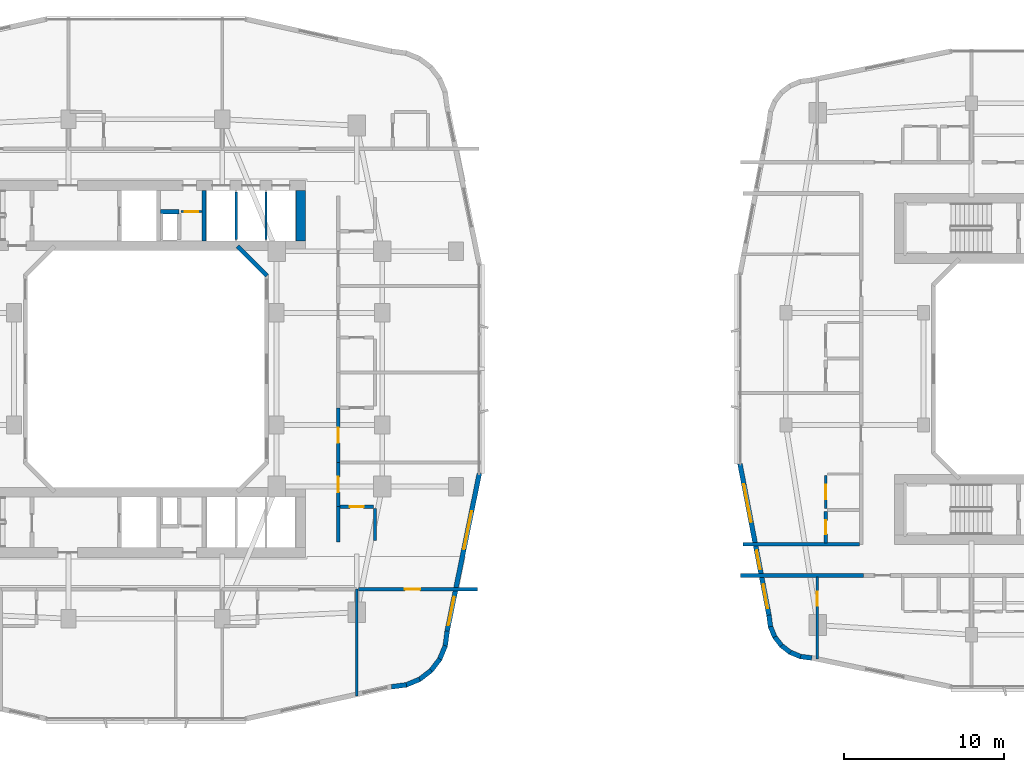
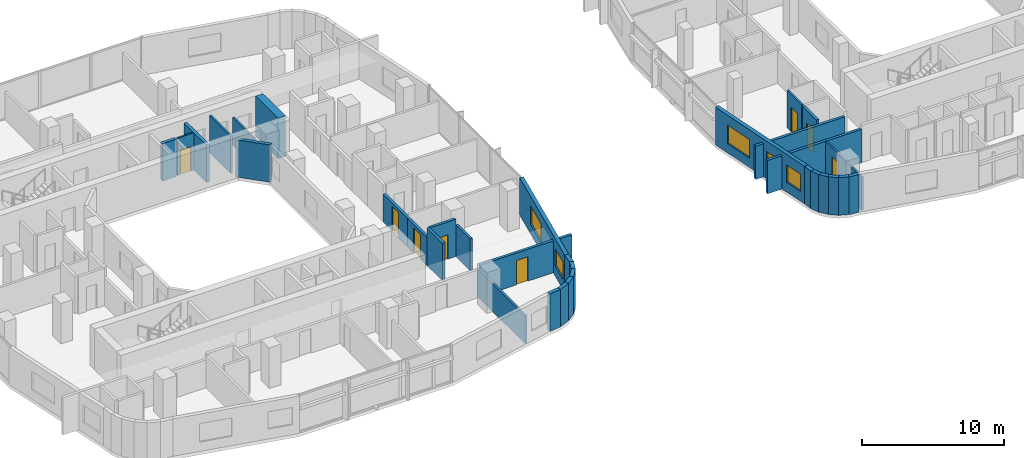
# One storey, part 15 of 27: 33 walls, 8 doors, 5 windows, 13 openings.
"""IFC4 building model written with IfcOpenShell, lengths in metres."""

from ifc_helpers import new_model, si_unit, derived_unit, direction, frame, frame_2d, origin, place, context, subcontext, project, spatial, rectangle, extrude, material, layer, layer_set, type_object, element, fill, save


model = new_model("IFC4")

# Units and contexts
model_context = context("Model", 3, precision=1e-05, world=origin(), true_north=direction((0.0, 1.0)))
body_context = subcontext(model_context, "Body", "Model", "MODEL_VIEW")
ifc_project = project(units=[si_unit("LENGTHUNIT", "METRE"), si_unit("AREAUNIT", "SQUARE_METRE"), si_unit("VOLUMEUNIT", "CUBIC_METRE"), si_unit("PLANEANGLEUNIT", "RADIAN"), si_unit("MASSUNIT", "GRAM", prefix="KILO"), derived_unit("THERMALTRANSMITTANCEUNIT", [(si_unit("POWERUNIT", "WATT"), 1), (si_unit("LENGTHUNIT", "METRE"), -2), (si_unit("THERMODYNAMICTEMPERATUREUNIT", "KELVIN"), -1)])], contexts=[model_context])

# Site, building, storey
site_placement = place(None, origin())
site = spatial("IfcSite", under=ifc_project, at=site_placement, CompositionType="ELEMENT")
building_placement = place(site_placement, origin())
building = spatial("IfcBuilding", under=site, at=building_placement, Name="Kivonza Crest Hotel", CompositionType="ELEMENT")
storey_placement = place(building_placement, frame((0.0, 0.0, 41.5)))
storey = spatial("IfcBuildingStorey", under=building, at=storey_placement, Name="L10", CompositionType="ELEMENT", Elevation=41.5)

# Wall
ifc_material_1 = material(Name="High-density acoustic masonry inter-tenancy wall", Category="masonry")
ifc_layer_1 = layer(ifc_material_1, 0.179931640625)
ifc_layer_set_1 = layer_set([ifc_layer_1], Name="High-density acoustic masonry inter-tenancy wall")
wall_type_1 = type_object("IfcWallType", Name="WL-ACOU-180", PredefinedType="SOLIDWALL", material=ifc_layer_set_1)
wall_1_placement = place(storey_placement, frame((34.199951171875, 4.575927734375, 0.0), z_axis=(0.0, 0.0, 1.0), x_axis=(0.0, 1.0, 0.0)))
element("IfcWall", 1, at=wall_1_placement, inside=storey, type_object=wall_type_1, Name="L10 interior partition WA-L10-T1S-DIV3", PredefinedType="SOLIDWALL", context=body_context, shape_type="SweptSolid", body=[
    extrude(rectangle(XDim=6.674072265625, YDim=0.179931640625, at=frame_2d((3.3369140625, 0.0))), origin(), (0.0, 0.0, 1.0), 2.39501953125),
])

# Wall, opening, door
ifc_material_2 = material(Name="Autoclaved aerated concrete blockwork", Category="masonry")
ifc_layer_2 = layer(ifc_material_2, 0.219970703125)
ifc_layer_set_2 = layer_set([ifc_layer_2], Name="Autoclaved aerated concrete blockwork")
wall_type_2 = type_object("IfcWallType", Name="WL-ACOU-220", PredefinedType="SOLIDWALL", material=ifc_layer_set_2)
wall_2_placement = place(storey_placement, frame((34.300048828125, 11.25, 0.0), z_axis=(0.0, 0.0, 1.0), x_axis=(1.0, 0.0, 0.0)))
wall_2 = element("IfcWall", 2, at=wall_2_placement, inside=storey, type_object=wall_type_2, Name="L10 interior partition WA-L10-BUS-MTG-N", PredefinedType="SOLIDWALL", context=body_context, shape_type="SweptSolid", body=[
    extrude(rectangle(XDim=7.43994140625, YDim=0.219970703125, at=frame_2d((3.719970703125, 0.0))), origin(), (0.0, 0.0, 1.0), 2.7451171875),
])
opening_1_placement = place(wall_2_placement, frame((2.910888671875, 0.0, 0.0)))
opening_1 = element("IfcOpeningElement", 3, at=opening_1_placement, cuts=wall_2, Name="Opening DF-60S", PredefinedType="OPENING", context=body_context, shape_type="SweptSolid", body=[
    extrude(rectangle(XDim=0.949951171875, YDim=2.10009765625, at=frame_2d((0.47509765625, 1.050048828125))), frame((0.0, 0.1201171875, 0.0), z_axis=(0.0, -1.0, 0.0), x_axis=(1.0, 0.0, 0.0)), (0.0, 0.0, 1.0), 0.239990234375),
])
ifc_material_3 = material(Name="Hardwood timber oak", Category="wood")
door_type_1 = type_object("IfcDoorType", Name="DR-FD60-950", OperationType="NOTDEFINED", PredefinedType="DOOR", material=ifc_material_3)
door_1_placement = place(opening_1_placement, frame((0.949951171875, 0.0, 0.0), z_axis=(0.0, 0.0, 1.0), x_axis=(-1.0, 0.0, 0.0)))
door_1 = element("IfcDoor", 4, at=door_1_placement, inside=storey, type_object=door_type_1, Name="L10 Private Fitness Gym Studio door", OperationType="SINGLE_SWING_RIGHT", OverallHeight=2.10009765625, OverallWidth=0.949951171875, PredefinedType="DOOR", context=body_context, shape_type="SweptSolid", body=[
    extrude(rectangle(XDim=0.949951171875, YDim=2.10009765625, at=frame_2d((0.47509765625, 1.050048828125))), frame((0.0, 0.02490234375, 0.0), z_axis=(0.0, -1.0, 0.0), x_axis=(1.0, 0.0, 0.0)), (0.0, 0.0, 1.0), 0.050048828125),
])
fill(opening_1, door_1)

# Wall
wall_3_placement = place(storey_placement, frame((33.050048828125, 14.199951171875, 0.0), z_axis=(0.0, 0.0, 1.0), x_axis=(0.0, 1.0, 0.0)))
element("IfcWall", 5, at=wall_3_placement, inside=storey, type_object=wall_type_2, Name="L10 interior partition WA-L10-E09-BCORR", PredefinedType="SOLIDWALL", context=body_context, shape_type="SweptSolid", body=[
    extrude(rectangle(XDim=2.199951171875, YDim=0.219970703125, at=frame_2d((1.10009765625, 0.0))), origin(), (0.0, 0.0, 1.0), 3.219970703125),
])

# Wall, opening, door
wall_4_placement = place(storey_placement, frame((33.050048828125, 16.39990234375, 0.0), z_axis=(0.0, 0.0, 1.0), x_axis=(0.0, 1.0, 0.0)))
wall_4 = element("IfcWall", 6, at=wall_4_placement, inside=storey, type_object=wall_type_2, Name="L10 interior partition WA-L10-E09-MCORR", PredefinedType="SOLIDWALL", context=body_context, shape_type="SweptSolid", body=[
    extrude(rectangle(XDim=2.756103515625, YDim=0.219970703125, at=frame_2d((1.3779296875, 0.0))), origin(), (0.0, 0.0, 1.0), 2.39501953125),
])
opening_2_placement = place(wall_4_placement, frame((0.903076171875, 0.0, 0.0)))
opening_2 = element("IfcOpeningElement", 7, at=opening_2_placement, cuts=wall_4, Name="Opening DU-60", PredefinedType="OPENING", context=body_context, shape_type="SweptSolid", body=[
    extrude(rectangle(XDim=0.949951171875, YDim=2.10009765625, at=frame_2d((0.47509765625, 1.050048828125))), frame((0.0, 0.1201171875, 0.0), z_axis=(0.0, -1.0, 0.0), x_axis=(1.0, 0.0, 0.0)), (0.0, 0.0, 1.0), 0.239990234375),
])
door_type_2 = type_object("IfcDoorType", Name="DR-UNIT-950", OperationType="NOTDEFINED", PredefinedType="DOOR", material=ifc_material_3)
door_2_placement = place(opening_2_placement, frame((0.949951171875, 0.0, 0.0), z_axis=(0.0, 0.0, 1.0), x_axis=(-1.0, 0.0, 0.0)))
door_2 = element("IfcDoor", 8, at=door_2_placement, inside=storey, type_object=door_type_2, Name="L10 E09 guest unit entrance fire door", OperationType="SINGLE_SWING_LEFT", OverallHeight=2.10009765625, OverallWidth=0.949951171875, PredefinedType="DOOR", context=body_context, shape_type="SweptSolid", body=[
    extrude(rectangle(XDim=0.949951171875, YDim=2.10009765625, at=frame_2d((0.47509765625, 1.050048828125))), frame((0.0, 0.02490234375, 0.0), z_axis=(0.0, -1.0, 0.0), x_axis=(1.0, 0.0, 0.0)), (0.0, 0.0, 1.0), 0.050048828125),
])
fill(opening_2, door_2)

wall_5_placement = place(storey_placement, frame((33.050048828125, 19.156005859375, 0.0), z_axis=(0.0, 0.0, 1.0), x_axis=(0.0, 1.0, 0.0)))
wall_5 = element("IfcWall", 9, at=wall_5_placement, inside=storey, type_object=wall_type_2, Name="L10 interior partition WA-L10-E10-MCORR", PredefinedType="SOLIDWALL", context=body_context, shape_type="SweptSolid", body=[
    extrude(rectangle(XDim=3.416015625, YDim=0.219970703125, at=frame_2d((1.7080078125, 0.0))), origin(), (0.0, 0.0, 1.0), 2.39501953125),
])
opening_3_placement = place(wall_5_placement, frame((1.23291015625, 0.0, 0.0)))
opening_3 = element("IfcOpeningElement", 10, at=opening_3_placement, cuts=wall_5, Name="Opening DU-60", PredefinedType="OPENING", context=body_context, shape_type="SweptSolid", body=[
    extrude(rectangle(XDim=0.949951171875, YDim=2.10009765625, at=frame_2d((0.47509765625, 1.050048828125))), frame((0.0, 0.1201171875, 0.0), z_axis=(0.0, -1.0, 0.0), x_axis=(1.0, 0.0, 0.0)), (0.0, 0.0, 1.0), 0.239990234375),
])
door_3_placement = place(opening_3_placement, frame((0.949951171875, 0.0, 0.0), z_axis=(0.0, 0.0, 1.0), x_axis=(-1.0, 0.0, 0.0)))
door_3 = element("IfcDoor", 11, at=door_3_placement, inside=storey, type_object=door_type_2, Name="L10 E10 guest unit entrance fire door", OperationType="SINGLE_SWING_RIGHT", OverallHeight=2.10009765625, OverallWidth=0.949951171875, PredefinedType="DOOR", context=body_context, shape_type="SweptSolid", body=[
    extrude(rectangle(XDim=0.949951171875, YDim=2.10009765625, at=frame_2d((0.47509765625, 1.050048828125))), frame((0.0, 0.02490234375, 0.0), z_axis=(0.0, -1.0, 0.0), x_axis=(1.0, 0.0, 0.0)), (0.0, 0.0, 1.0), 0.050048828125),
])
fill(opening_3, door_3)

# Walls
wall_6_placement = place(storey_placement, frame((58.159912109375, 12.10009765625, 0.0), z_axis=(0.0, 0.0, 1.0), x_axis=(1.0, 0.0, 0.0)))
element("IfcWall", 12, at=wall_6_placement, inside=storey, type_object=wall_type_2, Name="L10 interior partition WA-L10-A03-LCORR", PredefinedType="SOLIDWALL", context=body_context, shape_type="SweptSolid", body=[
    extrude(rectangle(XDim=7.690185546875, YDim=0.219970703125, at=frame_2d((3.84521484375, 0.0))), origin(), (0.0, 0.0, 1.0), 2.864990234375),
])
wall_7_placement = place(storey_placement, frame((58.320068359375, 14.0400390625, 0.0), z_axis=(0.0, 0.0, 1.0), x_axis=(1.0, 0.0, 0.0)))
element("IfcWall", 13, at=wall_7_placement, inside=storey, type_object=wall_type_2, Name="L10 interior partition WA-L10-T2W-ENDS", PredefinedType="SOLIDWALL", context=body_context, shape_type="SweptSolid", body=[
    extrude(rectangle(XDim=7.280029296875, YDim=0.219970703125, at=frame_2d((3.64013671875, 0.0))), origin(), (0.0, 0.0, 1.0), 2.864990234375),
])
ifc_material_4 = material(Name="Concrete C60/75", Category="concrete")
ifc_layer_3 = layer(ifc_material_4, 0.60009765625)
ifc_layer_set_3 = layer_set([ifc_layer_3], Name="Concrete C60/75")
wall_type_3 = type_object("IfcWallType", Name="WL-CORE-600", PredefinedType="SHEAR", material=ifc_layer_set_3)
wall_8_placement = place(storey_placement, frame((30.699951171875, 33.0, 0.0), z_axis=(0.0, 0.0, 1.0), x_axis=(0.0, 1.0, 0.0)))
element("IfcWall", 14, at=wall_8_placement, inside=storey, type_object=wall_type_3, Name="Core wall T1-N East L10", PredefinedType="SHEAR", context=body_context, shape_type="SweptSolid", body=[
    extrude(rectangle(XDim=3.159912109375, YDim=0.60009765625, at=frame_2d((1.580078125, 0.0))), origin(), (0.0, 0.0, 1.0), 3.5),
])
ifc_material_5 = material(Name="Precast concrete C40/50", Category="concrete")
ifc_layer_4 = layer(ifc_material_5, 0.260009765625)
ifc_layer_set_4 = layer_set([ifc_layer_4], Name="Precast concrete C40/50")
wall_type_4 = type_object("IfcWallType", Name="WL-EXT-260", PredefinedType="STANDARD", material=ifc_layer_set_4)
wall_9_placement = place(storey_placement, frame((28.595947265625, 30.827880859375, 0.0), z_axis=(0.0, 0.0, 1.0), x_axis=(-0.707059717605, 0.707153841636, 0.0)))
element("IfcWall", 15, at=wall_9_placement, inside=storey, type_object=wall_type_4, Name="L10 T1 light-well exterior wall 4", PredefinedType="STANDARD", context=body_context, shape_type="SweptSolid", body=[
    extrude(rectangle(XDim=2.59375, YDim=0.260009765625, at=frame_2d((1.296875, 0.0))), origin(), (0.0, 0.0, 1.0), 3.219970703125),
])
ifc_layer_5 = layer(ifc_material_5, 0.300048828125)
ifc_layer_set_5 = layer_set([ifc_layer_5], Name="Precast concrete C40/50")
wall_type_5 = type_object("IfcWallType", Name="WL-EXT-300", PredefinedType="STANDARD", material=ifc_layer_set_5)
wall_10_placement = place(storey_placement, frame((36.3720703125, 5.14794921875, 0.0), z_axis=(0.0, 0.0, 1.0), x_axis=(0.991359246108, 0.131174864804, 0.0)))
element("IfcWall", 16, at=wall_10_placement, inside=storey, type_object=wall_type_5, Name="L10 T1 exterior insulated wall 10", PredefinedType="STANDARD", context=body_context, shape_type="SweptSolid", body=[
    extrude(rectangle(XDim=0.93798828125, YDim=0.300048828125, at=frame_2d((0.468994140625, 0.0))), origin(), (0.0, 0.0, 1.0), 3.219970703125),
])
wall_11_placement = place(storey_placement, frame((37.251953125, 5.251953125, 0.0), z_axis=(0.0, 0.0, 1.0), x_axis=(0.924019948111, 0.382344263057, 0.0)))
element("IfcWall", 17, at=wall_11_placement, inside=storey, type_object=wall_type_5, Name="L10 T1 exterior insulated wall 11", PredefinedType="STANDARD", context=body_context, shape_type="SweptSolid", body=[
    extrude(rectangle(XDim=0.95458984375, YDim=0.300048828125, at=frame_2d((0.477294921875, 0.0))), origin(), (0.0, 0.0, 1.0), 3.219970703125),
])
wall_12_placement = place(storey_placement, frame((38.089111328125, 5.5859375, 0.0), z_axis=(0.0, 0.0, 1.0), x_axis=(0.793573440799, 0.608474481025, 0.0)))
element("IfcWall", 18, at=wall_12_placement, inside=storey, type_object=wall_type_5, Name="L10 T1 exterior insulated wall 12", PredefinedType="STANDARD", context=body_context, shape_type="SweptSolid", body=[
    extrude(rectangle(XDim=0.954833984375, YDim=0.300048828125, at=frame_2d((0.4775390625, 0.0))), origin(), (0.0, 0.0, 1.0), 3.219970703125),
])
wall_13_placement = place(storey_placement, frame((38.81201171875, 6.125, 0.0), z_axis=(0.0, 0.0, 1.0), x_axis=(0.608351047625, 0.793668068435, 0.0)))
element("IfcWall", 19, at=wall_13_placement, inside=storey, type_object=wall_type_5, Name="L10 T1 exterior insulated wall 13", PredefinedType="STANDARD", context=body_context, shape_type="SweptSolid", body=[
    extrude(rectangle(XDim=0.955078125, YDim=0.300048828125, at=frame_2d((0.4775390625, 0.0))), origin(), (0.0, 0.0, 1.0), 3.219970703125),
])
wall_14_placement = place(storey_placement, frame((39.368896484375, 6.833984375, 0.0), z_axis=(0.0, 0.0, 1.0), x_axis=(0.382344263057, 0.924019948111, 0.0)))
element("IfcWall", 20, at=wall_14_placement, inside=storey, type_object=wall_type_5, Name="L10 T1 exterior insulated wall 14", PredefinedType="STANDARD", context=body_context, shape_type="SweptSolid", body=[
    extrude(rectangle(XDim=0.95458984375, YDim=0.300048828125, at=frame_2d((0.477294921875, 0.0))), origin(), (0.0, 0.0, 1.0), 3.219970703125),
])
wall_15_placement = place(storey_placement, frame((39.72509765625, 7.6630859375, 0.0), z_axis=(0.0, 0.0, 1.0), x_axis=(0.130454512571, 0.991454295543, 0.0)))
element("IfcWall", 21, at=wall_15_placement, inside=storey, type_object=wall_type_5, Name="L10 T1 exterior insulated wall 15", PredefinedType="STANDARD", context=body_context, shape_type="SweptSolid", body=[
    extrude(rectangle(XDim=0.97314453125, YDim=0.300048828125, at=frame_2d((0.486572265625, 0.0))), origin(), (0.0, 0.0, 1.0), 3.219970703125),
])

# Wall, openings, windows
wall_16_placement = place(storey_placement, frame((39.85107421875, 8.6220703125, 0.0), z_axis=(0.0, 0.0, 1.0), x_axis=(0.199990901713, 0.979797754249, 0.0)))
wall_16 = element("IfcWall", 22, at=wall_16_placement, inside=storey, type_object=wall_type_5, Name="L10 T1 exterior insulated wall 16", PredefinedType="STANDARD", context=body_context, shape_type="SweptSolid", body=[
    extrude(rectangle(XDim=10.065185546875, YDim=0.300048828125, at=frame_2d((5.03271484375, 0.0))), origin(), (0.0, 0.0, 1.0), 3.219970703125),
])
opening_4_placement = place(wall_16_placement, frame((0.3779296875, 0.0, 0.85009765625)))
opening_4 = element("IfcOpeningElement", 23, at=opening_4_placement, cuts=wall_16, Name="Opening WN-03", PredefinedType="OPENING", context=body_context, shape_type="SweptSolid", body=[
    extrude(rectangle(XDim=1.800048828125, YDim=1.5, at=frame_2d((0.89990234375, 0.75))), frame((0.0, 0.16015625, 0.0), z_axis=(0.0, -1.0, 0.0), x_axis=(1.0, 0.0, 0.0)), (0.0, 0.0, 1.0), 0.320068359375),
])
opening_5_placement = place(wall_16_placement, frame((5.236083984375, 0.0, 0.800048828125)))
opening_5 = element("IfcOpeningElement", 24, at=opening_5_placement, cuts=wall_16, Name="Opening WN-05", PredefinedType="OPENING", context=body_context, shape_type="SweptSolid", body=[
    extrude(rectangle(XDim=2.39990234375, YDim=1.60009765625, at=frame_2d((1.199951171875, 0.800048828125))), frame((0.0, 0.16015625, 0.0), z_axis=(0.0, -1.0, 0.0), x_axis=(1.0, 0.0, 0.0)), (0.0, 0.0, 1.0), 0.320068359375),
])
ifc_material_6 = material(Name="Thermally broken bronze aluminium and low-E double glazing", Category="aluminium")
window_type_1 = type_object("IfcWindowType", Name="WN-180x150", PartitioningType="DOUBLE_PANEL_VERTICAL", PredefinedType="WINDOW", material=ifc_material_6)
window_1_placement = place(opening_4_placement, origin())
window_1 = element("IfcWindow", 25, at=window_1_placement, inside=storey, type_object=window_type_1, Name="L10 T1 facade window 16 bay 1", OverallHeight=1.5, OverallWidth=1.800048828125, PartitioningType="SINGLE_PANEL", PredefinedType="WINDOW", context=body_context, shape_type="SweptSolid", body=[
    extrude(rectangle(XDim=1.800048828125, YDim=1.5, at=frame_2d((0.89990234375, 0.75))), frame((0.0, 0.030029296875, 0.0), z_axis=(0.0, -1.0, 0.0), x_axis=(1.0, 0.0, 0.0)), (0.0, 0.0, 1.0), 0.06005859375),
])
fill(opening_4, window_1)
window_type_2 = type_object("IfcWindowType", Name="WN-240x160", PartitioningType="TRIPLE_PANEL_VERTICAL", PredefinedType="WINDOW", material=ifc_material_6)
window_2_placement = place(opening_5_placement, origin())
window_2 = element("IfcWindow", 26, at=window_2_placement, inside=storey, type_object=window_type_2, Name="L10 T1 facade window 16 bay 2", OverallHeight=1.60009765625, OverallWidth=2.39990234375, PartitioningType="SINGLE_PANEL", PredefinedType="WINDOW", context=body_context, shape_type="SweptSolid", body=[
    extrude(rectangle(XDim=2.39990234375, YDim=1.60009765625, at=frame_2d((1.199951171875, 0.800048828125))), frame((0.0, 0.030029296875, 0.0), z_axis=(0.0, -1.0, 0.0), x_axis=(1.0, 0.0, 0.0)), (0.0, 0.0, 1.0), 0.06005859375),
])
fill(opening_5, window_2)

# Walls
wall_17_placement = place(storey_placement, frame((59.947998046875, 9.626953125, 0.0), z_axis=(0.0, 0.0, 1.0), x_axis=(0.130255288807, -0.991480488834, 0.0)))
element("IfcWall", 27, at=wall_17_placement, inside=storey, type_object=wall_type_5, Name="L10 T2 exterior insulated wall 1", PredefinedType="STANDARD", context=body_context, shape_type="SweptSolid", body=[
    extrude(rectangle(XDim=0.72900390625, YDim=0.300048828125, at=frame_2d((0.364501953125, 0.0))), origin(), (0.0, 0.0, 1.0), 3.25),
])
for number, where, z_axis, x_axis, name in (
    (28, (60.02392578125, 8.955078125, 0.0), (0.0, 0.0, 1.0), (0.383546213491, -0.923521684703, 0.0), "L10 T2 exterior insulated wall 2"),
    (29, (60.279052734375, 8.31103515625, 0.0), (0.0, 0.0, 1.0), (0.608397189915, -0.79363269798, 0.0), "L10 T2 exterior insulated wall 3"),
    (30, (60.69091796875, 7.75390625, 0.0), (0.0, 0.0, 1.0), (0.79363269798, -0.608397189915, 0.0), "L10 T2 exterior insulated wall 4"),
    (31, (61.23388671875, 7.323974609375, 0.0), (0.0, 0.0, 1.0), (0.923685632463, -0.383151213466, 0.0), "L10 T2 exterior insulated wall 5"),
):
    element("IfcWall", number, at=place(storey_placement, frame(where, z_axis=z_axis, x_axis=x_axis)), inside=storey, type_object=wall_type_5, Name=name, PredefinedType="STANDARD", context=body_context, shape_type="SweptSolid", body=[
        extrude(rectangle(XDim=0.74609375, YDim=0.300048828125, at=frame_2d((0.373046875, 0.0))), origin(), (0.0, 0.0, 1.0), 3.25),
    ])
wall_18_placement = place(storey_placement, frame((61.868896484375, 7.047119140625, 0.0), z_axis=(0.0, 0.0, 1.0), x_axis=(0.991559404866, -0.129653178221, 0.0)))
element("IfcWall", 32, at=wall_18_placement, inside=storey, type_object=wall_type_5, Name="L10 T2 exterior insulated wall 6", PredefinedType="STANDARD", context=body_context, shape_type="SweptSolid", body=[
    extrude(rectangle(XDim=0.764404296875, YDim=0.300048828125, at=frame_2d((0.38232421875, 0.0))), origin(), (0.0, 0.0, 1.0), 3.25),
])

# Wall, openings, windows
wall_19_placement = place(storey_placement, frame((58.136962890625, 19.08203125, 0.0), z_axis=(0.0, 0.0, 1.0), x_axis=(0.188087874316, -0.982152203854, 0.0)))
wall_19 = element("IfcWall", 33, at=wall_19_placement, inside=storey, type_object=wall_type_5, Name="L10 T2 exterior insulated wall 36", PredefinedType="STANDARD", context=body_context, shape_type="SweptSolid", body=[
    extrude(rectangle(XDim=9.6337890625, YDim=0.300048828125, at=frame_2d((4.81689453125, 0.0))), origin(), (0.0, 0.0, 1.0), 3.25),
])
opening_6_placement = place(wall_19_placement, frame((1.305908203125, 0.0, 0.800048828125)))
opening_6 = element("IfcOpeningElement", 34, at=opening_6_placement, cuts=wall_19, Name="Opening WN-05", PredefinedType="OPENING", context=body_context, shape_type="SweptSolid", body=[
    extrude(rectangle(XDim=2.39990234375, YDim=1.60009765625, at=frame_2d((1.199951171875, 0.800048828125))), frame((0.0, 0.16015625, 0.0), z_axis=(0.0, -1.0, 0.0), x_axis=(1.0, 0.0, 0.0)), (0.0, 0.0, 1.0), 0.320068359375),
])
opening_7_placement = place(wall_19_placement, frame((5.52099609375, 0.0, 0.85009765625)))
opening_7 = element("IfcOpeningElement", 35, at=opening_7_placement, cuts=wall_19, Name="Opening WN-01", PredefinedType="OPENING", context=body_context, shape_type="SweptSolid", body=[
    extrude(rectangle(XDim=1.199951171875, YDim=1.5, at=frame_2d((0.60009765625, 0.75))), frame((0.0, 0.16015625, 0.0), z_axis=(0.0, -1.0, 0.0), x_axis=(1.0, 0.0, 0.0)), (0.0, 0.0, 1.0), 0.320068359375),
])
opening_8_placement = place(wall_19_placement, frame((7.681884765625, 0.0, 0.85009765625)))
opening_8 = element("IfcOpeningElement", 36, at=opening_8_placement, cuts=wall_19, Name="Opening WN-02", PredefinedType="OPENING", context=body_context, shape_type="SweptSolid", body=[
    extrude(rectangle(XDim=1.5, YDim=1.5, at=frame_2d((0.75, 0.75))), frame((0.0, 0.16015625, 0.0), z_axis=(0.0, -1.0, 0.0), x_axis=(1.0, 0.0, 0.0)), (0.0, 0.0, 1.0), 0.320068359375),
])
window_type_3 = type_object("IfcWindowType", Name="WN-120x150", PartitioningType="SINGLE_PANEL", PredefinedType="WINDOW", material=ifc_material_6)
window_3_placement = place(opening_7_placement, origin())
window_3 = element("IfcWindow", 37, at=window_3_placement, inside=storey, type_object=window_type_3, Name="L10 T2 facade window 36 bay 2", OverallHeight=1.5, OverallWidth=1.199951171875, PartitioningType="SINGLE_PANEL", PredefinedType="WINDOW", context=body_context, shape_type="SweptSolid", body=[
    extrude(rectangle(XDim=1.199951171875, YDim=1.5, at=frame_2d((0.60009765625, 0.75))), frame((0.0, 0.030029296875, 0.0), z_axis=(0.0, -1.0, 0.0), x_axis=(1.0, 0.0, 0.0)), (0.0, 0.0, 1.0), 0.06005859375),
])
fill(opening_7, window_3)
window_type_4 = type_object("IfcWindowType", Name="WN-150x150", PartitioningType="DOUBLE_PANEL_VERTICAL", PredefinedType="WINDOW", material=ifc_material_6)
window_4_placement = place(opening_8_placement, origin())
window_4 = element("IfcWindow", 38, at=window_4_placement, inside=storey, type_object=window_type_4, Name="L10 T2 facade window 36 bay 3", OverallHeight=1.5, OverallWidth=1.5, PartitioningType="SINGLE_PANEL", PredefinedType="WINDOW", context=body_context, shape_type="SweptSolid", body=[
    extrude(rectangle(XDim=1.5, YDim=1.5, at=frame_2d((0.75, 0.75))), frame((0.0, 0.030029296875, 0.0), z_axis=(0.0, -1.0, 0.0), x_axis=(1.0, 0.0, 0.0)), (0.0, 0.0, 1.0), 0.06005859375),
])
fill(opening_8, window_4)
window_5_placement = place(opening_6_placement, origin())
window_5 = element("IfcWindow", 39, at=window_5_placement, inside=storey, type_object=window_type_2, Name="L10 T2 facade window 36 bay 1", OverallHeight=1.60009765625, OverallWidth=2.39990234375, PartitioningType="SINGLE_PANEL", PredefinedType="WINDOW", context=body_context, shape_type="SweptSolid", body=[
    extrude(rectangle(XDim=2.39990234375, YDim=1.60009765625, at=frame_2d((1.199951171875, 0.800048828125))), frame((0.0, 0.030029296875, 0.0), z_axis=(0.0, -1.0, 0.0), x_axis=(1.0, 0.0, 0.0)), (0.0, 0.0, 1.0), 0.06005859375),
])
fill(opening_6, window_5)

# Wall
ifc_material_7 = material(Name="Concrete blockwork fire-compartment wall", Category="masonry")
ifc_layer_6 = layer(ifc_material_7, 0.25)
ifc_layer_set_6 = layer_set([ifc_layer_6], Name="Concrete blockwork fire-compartment wall")
wall_type_6 = type_object("IfcWallType", Name="WL-FIRE-250", PredefinedType="SOLIDWALL", material=ifc_layer_set_6)
wall_20_placement = place(storey_placement, frame((21.949951171875, 34.820068359375, 0.0), z_axis=(0.0, 0.0, 1.0), x_axis=(1.0, 0.0, 0.0)))
element("IfcWall", 40, at=wall_20_placement, inside=storey, type_object=wall_type_6, Name="L10 interior partition WA-L10-T1-N-MEPR-H", PredefinedType="SOLIDWALL", context=body_context, shape_type="SweptSolid", body=[
    extrude(rectangle(XDim=1.150146484375, YDim=0.25, at=frame_2d((0.5751953125, 0.0))), origin(), (0.0, 0.0, 1.0), 3.219970703125),
])

# Wall, opening, door
ifc_material_8 = material(Name="Metal-stud gypsum board partition", Category="gypsum")
ifc_layer_7 = layer(ifc_material_8, 0.125)
ifc_layer_set_7 = layer_set([ifc_layer_7], Name="Metal-stud gypsum board partition")
wall_type_7 = type_object("IfcWallType", Name="WL-PART-125", PredefinedType="PARTITIONING", material=ifc_layer_set_7)
wall_21_placement = place(storey_placement, frame((23.219970703125, 34.820068359375, 0.0), z_axis=(0.0, 0.0, 1.0), x_axis=(1.0, 0.0, 0.0)))
wall_21 = element("IfcWall", 41, at=wall_21_placement, inside=storey, type_object=wall_type_7, Name="L10 interior partition WP-L10-T1-N-SV3H", PredefinedType="PARTITIONING", context=body_context, shape_type="SweptSolid", body=[
    extrude(rectangle(XDim=1.330078125, YDim=0.125, at=frame_2d((0.6650390625, 0.0))), origin(), (0.0, 0.0, 1.0), 3.219970703125),
])
opening_9_placement = place(wall_21_placement, frame((0.239990234375, 0.0, 0.0)))
opening_9 = element("IfcOpeningElement", 42, at=opening_9_placement, cuts=wall_21, Name="Opening DI-85", PredefinedType="OPENING", context=body_context, shape_type="SweptSolid", body=[
    extrude(rectangle(XDim=0.85009765625, YDim=2.10009765625, at=frame_2d((0.425048828125, 1.050048828125))), frame((0.0, 0.072509765625, 0.0), z_axis=(0.0, -1.0, 0.0), x_axis=(1.0, 0.0, 0.0)), (0.0, 0.0, 1.0), 0.14501953125),
])
door_type_3 = type_object("IfcDoorType", Name="DR-INT-850", OperationType="NOTDEFINED", PredefinedType="DOOR", material=ifc_material_3)
door_4_placement = place(opening_9_placement, origin())
door_4 = element("IfcDoor", 43, at=door_4_placement, inside=storey, type_object=door_type_3, Name="L10 T1-N inner manifold door", OperationType="SINGLE_SWING_LEFT", OverallHeight=2.10009765625, OverallWidth=0.85009765625, PredefinedType="DOOR", context=body_context, shape_type="SweptSolid", body=[
    extrude(rectangle(XDim=0.85009765625, YDim=2.10009765625, at=frame_2d((0.425048828125, 1.050048828125))), frame((0.0, 0.02490234375, 0.0), z_axis=(0.0, -1.0, 0.0), x_axis=(1.0, 0.0, 0.0)), (0.0, 0.0, 1.0), 0.050048828125),
])
fill(opening_9, door_4)

# Walls
ifc_material_9 = material(Name="Twin-stud acoustic gypsum board partition", Category="gypsum")
ifc_layer_8 = layer(ifc_material_9, 0.14990234375)
ifc_layer_set_8 = layer_set([ifc_layer_8], Name="Twin-stud acoustic gypsum board partition")
wall_type_8 = type_object("IfcWallType", Name="WL-PART-150", PredefinedType="PARTITIONING", material=ifc_layer_set_8)
wall_22_placement = place(storey_placement, frame((26.6669921875, 33.10009765625, 0.0), z_axis=(0.0, 0.0, 1.0), x_axis=(0.0, 1.0, 0.0)))
element("IfcWall", 44, at=wall_22_placement, inside=storey, type_object=wall_type_8, Name="L10 interior partition WP-L10-T1-N-BSH-1", PredefinedType="PARTITIONING", context=body_context, shape_type="SweptSolid", body=[
    extrude(rectangle(XDim=2.9599609375, YDim=0.14990234375, at=frame_2d((1.47998046875, 0.0))), origin(), (0.0, 0.0, 1.0), 3.219970703125),
])
wall_23_placement = place(storey_placement, frame((28.532958984375, 33.10009765625, 0.0), z_axis=(0.0, 0.0, 1.0), x_axis=(0.0, 1.0, 0.0)))
element("IfcWall", 45, at=wall_23_placement, inside=storey, type_object=wall_type_8, Name="L10 interior partition WP-L10-T1-N-BSH-2", PredefinedType="PARTITIONING", context=body_context, shape_type="SweptSolid", body=[
    extrude(rectangle(XDim=2.9599609375, YDim=0.14990234375, at=frame_2d((1.47998046875, 0.0))), origin(), (0.0, 0.0, 1.0), 2.39501953125),
])

# Wall, opening, door
wall_24_placement = place(storey_placement, frame((62.9599609375, 6.886962890625, 0.0), z_axis=(0.0, 0.0, 1.0), x_axis=(0.0, 1.0, 0.0)))
wall_24 = element("IfcWall", 46, at=wall_24_placement, inside=storey, type_object=wall_type_8, Name="L10 interior partition WP-L10-A03-BDW1", PredefinedType="PARTITIONING", context=body_context, shape_type="SweptSolid", body=[
    extrude(rectangle(XDim=5.113037109375, YDim=0.14990234375, at=frame_2d((2.556640625, 0.0))), origin(), (0.0, 0.0, 1.0), 2.864990234375),
])
opening_10_placement = place(wall_24_placement, frame((3.31005859375, 0.0, 0.0)))
opening_10 = element("IfcOpeningElement", 47, at=opening_10_placement, cuts=wall_24, Name="Opening DI-90", PredefinedType="OPENING", context=body_context, shape_type="SweptSolid", body=[
    extrude(rectangle(XDim=0.89990234375, YDim=2.10009765625, at=frame_2d((0.449951171875, 1.050048828125))), frame((0.0, 0.0849609375, 0.0), z_axis=(0.0, -1.0, 0.0), x_axis=(1.0, 0.0, 0.0)), (0.0, 0.0, 1.0), 0.169921875),
])
door_type_4 = type_object("IfcDoorType", Name="DR-INT-900", OperationType="NOTDEFINED", PredefinedType="DOOR", material=ifc_material_3)
door_5_placement = place(opening_10_placement, origin())
door_5 = element("IfcDoor", 48, at=door_5_placement, inside=storey, type_object=door_type_4, Name="L10 A03 bedroom 1 door", OperationType="SINGLE_SWING_RIGHT", OverallHeight=2.10009765625, OverallWidth=0.89990234375, PredefinedType="DOOR", context=body_context, shape_type="SweptSolid", body=[
    extrude(rectangle(XDim=0.89990234375, YDim=2.10009765625, at=frame_2d((0.449951171875, 1.050048828125))), frame((0.0, 0.02490234375, 0.0), z_axis=(0.0, -1.0, 0.0), x_axis=(1.0, 0.0, 0.0)), (0.0, 0.0, 1.0), 0.050048828125),
])
fill(opening_10, door_5)

wall_25_placement = place(storey_placement, frame((63.5, 16.2900390625, 0.0), z_axis=(0.0, 0.0, 1.0), x_axis=(0.0, 1.0, 0.0)))
wall_25 = element("IfcWall", 49, at=wall_25_placement, inside=storey, type_object=wall_type_8, Name="L10 interior partition WP-L10-A06-KSVC", PredefinedType="PARTITIONING", context=body_context, shape_type="SweptSolid", body=[
    extrude(rectangle(XDim=2.050048828125, YDim=0.14990234375, at=frame_2d((1.02490234375, 0.0))), origin(), (0.0, 0.0, 1.0), 3.219970703125),
])
opening_11_placement = place(wall_25_placement, frame((0.574951171875, 0.0, 0.0)))
opening_11 = element("IfcOpeningElement", 50, at=opening_11_placement, cuts=wall_25, Name="Opening DI-90", PredefinedType="OPENING", context=body_context, shape_type="SweptSolid", body=[
    extrude(rectangle(XDim=0.89990234375, YDim=2.10009765625, at=frame_2d((0.449951171875, 1.050048828125))), frame((0.0, 0.0849609375, 0.0), z_axis=(0.0, -1.0, 0.0), x_axis=(1.0, 0.0, 0.0)), (0.0, 0.0, 1.0), 0.169921875),
])
door_6_placement = place(opening_11_placement, origin())
door_6 = element("IfcDoor", 51, at=door_6_placement, inside=storey, type_object=door_type_4, Name="L10 A06 apartment kitchen door", OperationType="SINGLE_SWING_RIGHT", OverallHeight=2.10009765625, OverallWidth=0.89990234375, PredefinedType="DOOR", context=body_context, shape_type="SweptSolid", body=[
    extrude(rectangle(XDim=0.89990234375, YDim=2.10009765625, at=frame_2d((0.449951171875, 1.050048828125))), frame((0.0, 0.02490234375, 0.0), z_axis=(0.0, -1.0, 0.0), x_axis=(1.0, 0.0, 0.0)), (0.0, 0.0, 1.0), 0.050048828125),
])
fill(opening_11, door_6)

ifc_material_10 = material(Name="Moisture-resistant plumbing chase partition wall", Category="gypsum")
ifc_layer_9 = layer(ifc_material_10, 0.199951171875)
ifc_layer_set_9 = layer_set([ifc_layer_9], Name="Moisture-resistant plumbing chase partition wall")
wall_type_9 = type_object("IfcWallType", Name="WL-PLUMB-200", PredefinedType="PLUMBINGWALL", material=ifc_layer_set_9)
wall_26_placement = place(storey_placement, frame((33.14990234375, 16.39990234375, 0.0), z_axis=(0.0, 0.0, 1.0), x_axis=(1.0, 0.0, 0.0)))
wall_26 = element("IfcWall", 52, at=wall_26_placement, inside=storey, type_object=wall_type_9, Name="L10 interior partition WW-L10-E09-BH", PredefinedType="PLUMBINGWALL", context=body_context, shape_type="SweptSolid", body=[
    extrude(rectangle(XDim=2.10009765625, YDim=0.199951171875, at=frame_2d((1.050048828125, 0.0))), origin(), (0.0, 0.0, 1.0), 3.219970703125),
])
opening_12_placement = place(wall_26_placement, frame((0.625, 0.0, 0.0)))
opening_12 = element("IfcOpeningElement", 53, at=opening_12_placement, cuts=wall_26, Name="Opening DI-85", PredefinedType="OPENING", context=body_context, shape_type="SweptSolid", body=[
    extrude(rectangle(XDim=0.85009765625, YDim=2.10009765625, at=frame_2d((0.425048828125, 1.050048828125))), frame((0.0, 0.10986328125, 0.0), z_axis=(0.0, -1.0, 0.0), x_axis=(1.0, 0.0, 0.0)), (0.0, 0.0, 1.0), 0.219970703125),
])
door_7_placement = place(opening_12_placement, origin())
door_7 = element("IfcDoor", 54, at=door_7_placement, inside=storey, type_object=door_type_3, Name="L10 E09 en-suite bathroom door", OperationType="SINGLE_SWING_RIGHT", OverallHeight=2.10009765625, OverallWidth=0.85009765625, PredefinedType="DOOR", context=body_context, shape_type="SweptSolid", body=[
    extrude(rectangle(XDim=0.85009765625, YDim=2.10009765625, at=frame_2d((0.425048828125, 1.050048828125))), frame((0.0, 0.02490234375, 0.0), z_axis=(0.0, -1.0, 0.0), x_axis=(1.0, 0.0, 0.0)), (0.0, 0.0, 1.0), 0.050048828125),
])
fill(opening_12, door_7)

# Wall
wall_27_placement = place(storey_placement, frame((35.35009765625, 14.300048828125, 0.0), z_axis=(0.0, 0.0, 1.0), x_axis=(0.0, 1.0, 0.0)))
element("IfcWall", 55, at=wall_27_placement, inside=storey, type_object=wall_type_9, Name="L10 interior partition WW-L10-E09-BV", PredefinedType="PLUMBINGWALL", context=body_context, shape_type="SweptSolid", body=[
    extrude(rectangle(XDim=2.0, YDim=0.199951171875, at=frame_2d((1.0, 0.0))), origin(), (0.0, 0.0, 1.0), 2.7451171875),
])

# Wall, opening, door
wall_28_placement = place(storey_placement, frame((63.5, 14.139892578125, 0.0), z_axis=(0.0, 0.0, 1.0), x_axis=(0.0, 1.0, 0.0)))
wall_28 = element("IfcWall", 56, at=wall_28_placement, inside=storey, type_object=wall_type_9, Name="L10 interior partition WW-L10-A06-BSVC", PredefinedType="PLUMBINGWALL", context=body_context, shape_type="SweptSolid", body=[
    extrude(rectangle(XDim=1.9501953125, YDim=0.199951171875, at=frame_2d((0.97509765625, 0.0))), origin(), (0.0, 0.0, 1.0), 3.219970703125),
])
opening_13_placement = place(wall_28_placement, frame((0.550048828125, 0.0, 0.0)))
opening_13 = element("IfcOpeningElement", 57, at=opening_13_placement, cuts=wall_28, Name="Opening DI-85", PredefinedType="OPENING", context=body_context, shape_type="SweptSolid", body=[
    extrude(rectangle(XDim=0.85009765625, YDim=2.10009765625, at=frame_2d((0.425048828125, 1.050048828125))), frame((0.0, 0.10986328125, 0.0), z_axis=(0.0, -1.0, 0.0), x_axis=(1.0, 0.0, 0.0)), (0.0, 0.0, 1.0), 0.219970703125),
])
door_8_placement = place(opening_13_placement, origin())
door_8 = element("IfcDoor", 58, at=door_8_placement, inside=storey, type_object=door_type_3, Name="L10 A06 apartment bathroom door", OperationType="SINGLE_SWING_LEFT", OverallHeight=2.10009765625, OverallWidth=0.85009765625, PredefinedType="DOOR", context=body_context, shape_type="SweptSolid", body=[
    extrude(rectangle(XDim=0.85009765625, YDim=2.10009765625, at=frame_2d((0.425048828125, 1.050048828125))), frame((0.0, 0.02490234375, 0.0), z_axis=(0.0, -1.0, 0.0), x_axis=(1.0, 0.0, 0.0)), (0.0, 0.0, 1.0), 0.050048828125),
])
fill(opening_13, door_8)

# Wall
ifc_material_11 = material(Name="Concrete C50/60", Category="concrete")
ifc_layer_10 = layer(ifc_material_11, 0.25)
ifc_layer_set_10 = layer_set([ifc_layer_10], Name="Concrete C50/60")
wall_type_10 = type_object("IfcWallType", Name="WL-SHAFT-250", PredefinedType="STANDARD", material=ifc_layer_set_10)
wall_29_placement = place(storey_placement, frame((24.675048828125, 33.0, 0.0), z_axis=(0.0, 0.0, 1.0), x_axis=(0.0, 1.0, 0.0)))
element("IfcWall", 59, at=wall_29_placement, inside=storey, type_object=wall_type_10, Name="Core shaft wall T1-N BANK-W L10", PredefinedType="STANDARD", context=body_context, shape_type="SweptSolid", body=[
    extrude(rectangle(XDim=3.159912109375, YDim=0.25, at=frame_2d((1.580078125, 0.0))), origin(), (0.0, 0.0, 1.0), 3.219970703125),
])

save(model, "model.ifc")
